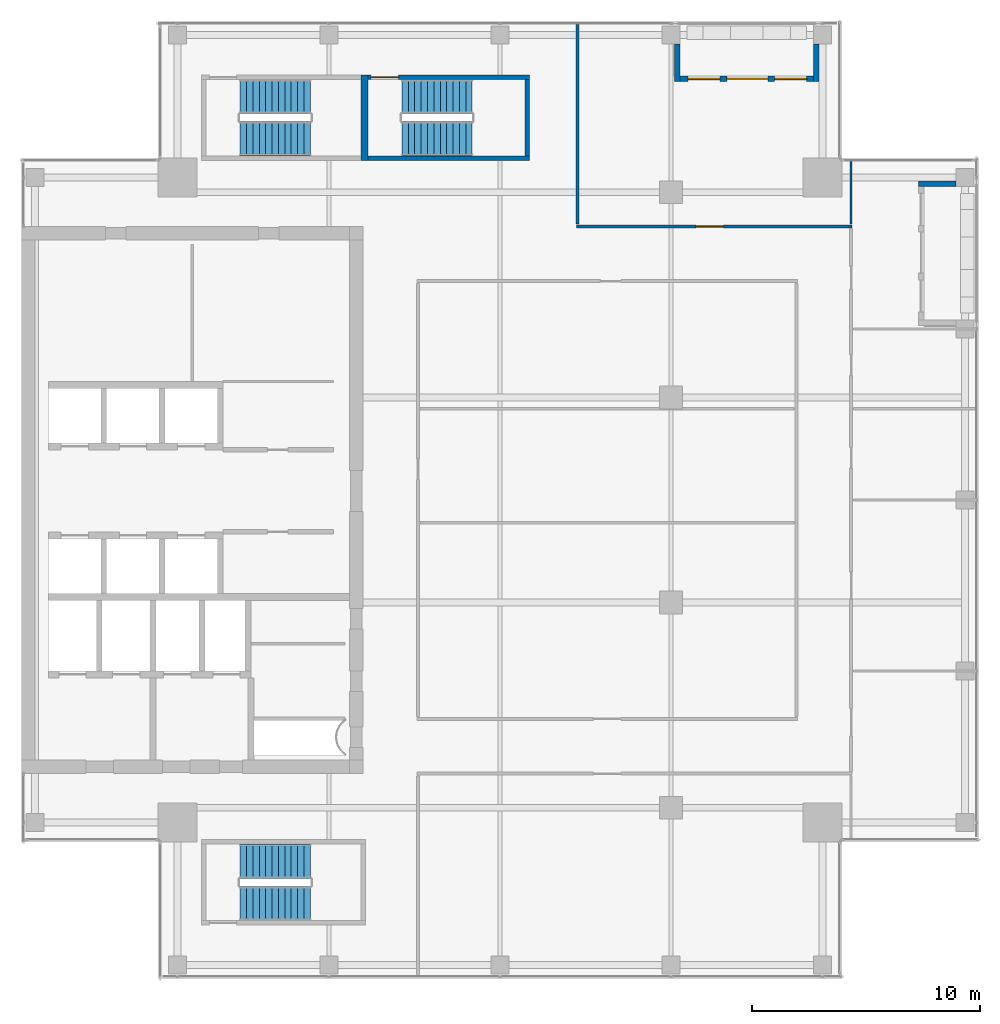
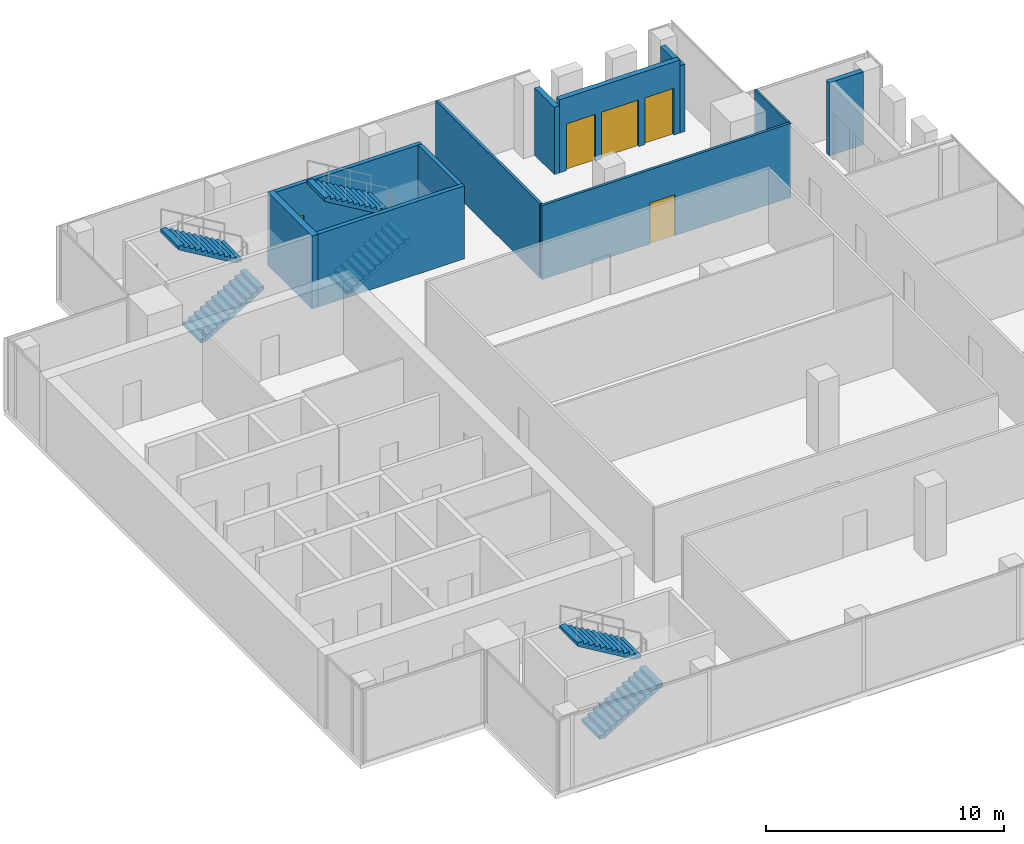
# One storey, part 27 of 29: 11 walls, 6 stair flights, 3 doors, 2 windows, 5 openings, 3 elements without a shape of their own.
"""IFC4 building model written with IfcOpenShell, lengths in metres."""

from ifc_helpers import new_model, si_unit, direction, frame, frame_2d, origin, place, context, subcontext, project, spatial, polyline, rectangle, outline, extrude, source, transform, mapped, material, layer, layer_set, type_object, element, fill, aggregate, save


model = new_model("IFC4")

# Units and contexts
model_context = context("Model", 3, precision=1e-05, world=origin(), true_north=direction((0.0, 1.0)))
body_context = subcontext(model_context, "Body", "Model", "MODEL_VIEW")
ifc_project = project(units=[si_unit("LENGTHUNIT", "METRE"), si_unit("AREAUNIT", "SQUARE_METRE"), si_unit("VOLUMEUNIT", "CUBIC_METRE"), si_unit("PLANEANGLEUNIT", "RADIAN"), si_unit("MASSUNIT", "GRAM", prefix="KILO")], contexts=[model_context])

# Site, building, storey
site_placement = place(None, origin())
site = spatial("IfcSite", under=ifc_project, at=site_placement, CompositionType="ELEMENT")
building_placement = place(site_placement, origin())
building = spatial("IfcBuilding", under=site, at=building_placement, Name="Khomas Fold Tower", CompositionType="ELEMENT")
storey_placement = place(building_placement, frame((0.0, 0.0, 314.199951171875)))
storey = spatial("IfcBuildingStorey", under=building, at=storey_placement, Name="L71", CompositionType="ELEMENT", Elevation=314.199951171875)

# Wall, opening, door
ifc_material_1 = material(Name="Concrete C50/60", Category="concrete")
ifc_layer_1 = layer(ifc_material_1, 0.199951171875)
ifc_layer_set_1 = layer_set([ifc_layer_1], Name="Concrete C50/60")
wall_type_1 = type_object("IfcWallType", Name="Stair wall 200", PredefinedType="SHEAR", material=ifc_layer_set_1)
shared_shape_1 = source(origin(), body_context, "Body", "SweptSolid", [
    extrude(rectangle(XDim=7.10009765625, YDim=0.199951171875, at=frame_2d((3.550048828125, 0.0))), origin(), (0.0, 0.0, 1.0), 3.75),
])
wall_1_placement = place(storey_placement, frame((21.199951171875, 45.550048828125, 0.0), z_axis=(0.0, 0.0, 1.0), x_axis=(1.0, 0.0, 0.0)))
wall_1 = element("IfcWall", 1, at=wall_1_placement, inside=storey, type_object=wall_type_1, Name="Stair wall SW-ST3-N", PredefinedType="SHEAR", context=body_context, shape_type="MappedRepresentation", body=[
    mapped(shared_shape_1, transform((0.0, 0.0, 0.0))),
])
shared_shape_2 = source(origin(), body_context, "Body", "SweptSolid", [
    extrude(rectangle(XDim=1.199951171875, YDim=2.10009765625, at=frame_2d((0.60009765625, 1.050048828125))), frame((0.0, 0.10986328125, 0.0), z_axis=(0.0, -1.0, 0.0), x_axis=(1.0, 0.0, 0.0)), (0.0, 0.0, 1.0), 0.219970703125),
])
opening_1_placement = place(wall_1_placement, frame((0.14990234375, 0.0, 0.0)))
opening_1 = element("IfcOpeningElement", 2, at=opening_1_placement, cuts=wall_1, Name="Opening SD-ST3", PredefinedType="OPENING", context=body_context, shape_type="MappedRepresentation", body=[
    mapped(shared_shape_2, transform((0.0, 0.0, 0.0))),
])
ifc_material_2 = material(Name="Steel door leaf", Category="steel")
door_type_1 = type_object("IfcDoorType", Name="Stair door 1200x2100 left-hand", OperationType="SINGLE_SWING_LEFT", PredefinedType="DOOR", material=ifc_material_2)
shared_shape_3 = source(origin(), body_context, "Body", "SweptSolid", [
    extrude(rectangle(XDim=1.199951171875, YDim=2.10009765625, at=frame_2d((0.60009765625, 1.050048828125))), frame((0.0, 0.02490234375, 0.0), z_axis=(0.0, -1.0, 0.0), x_axis=(1.0, 0.0, 0.0)), (0.0, 0.0, 1.0), 0.050048828125),
])
door_1_placement = place(opening_1_placement, origin())
door_1 = element("IfcDoor", 3, at=door_1_placement, inside=storey, type_object=door_type_1, Name="Stair door", OperationType="SINGLE_SWING_LEFT", OverallHeight=2.10009765625, OverallWidth=1.199951171875, PredefinedType="DOOR", context=body_context, shape_type="MappedRepresentation", body=[
    mapped(shared_shape_3, transform((0.0, 0.0, 0.0))),
])
fill(opening_1, door_1)

# Walls
wall_2_placement = place(storey_placement, frame((21.199951171875, 42.0, 0.0), z_axis=(0.0, 0.0, 1.0), x_axis=(1.0, 0.0, 0.0)))
element("IfcWall", 4, at=wall_2_placement, inside=storey, type_object=wall_type_1, Name="Stair wall SW-ST3-S", PredefinedType="SHEAR", context=body_context, shape_type="MappedRepresentation", body=[
    mapped(shared_shape_1, transform((0.0, 0.0, 0.0))),
])
ifc_material_3 = material(Name="Concrete C50/60", Category="concrete")
ifc_layer_2 = layer(ifc_material_3, 0.300048828125)
ifc_layer_set_2 = layer_set([ifc_layer_2], Name="Concrete C50/60")
wall_type_2 = type_object("IfcWallType", Name="Stair wall 300", PredefinedType="SHEAR", material=ifc_layer_set_2)
shared_shape_4 = source(origin(), body_context, "Body", "SweptSolid", [
    extrude(rectangle(XDim=3.75, YDim=0.300048828125, at=frame_2d((1.875, 0.0))), origin(), (0.0, 0.0, 1.0), 3.75),
])
wall_3_placement = place(storey_placement, frame((21.050048828125, 41.89990234375, 0.0), z_axis=(0.0, 0.0, 1.0), x_axis=(0.0, 1.0, 0.0)))
element("IfcWall", 5, at=wall_3_placement, inside=storey, type_object=wall_type_2, Name="Stair wall SW-ST1-E", PredefinedType="SHEAR", context=body_context, shape_type="MappedRepresentation", body=[
    mapped(shared_shape_4, transform((0.0, 0.0, 0.0))),
])
shared_shape_5 = source(origin(), body_context, "Body", "SweptSolid", [
    extrude(rectangle(XDim=3.349853515625, YDim=0.199951171875, at=frame_2d((1.6748046875, 0.0))), origin(), (0.0, 0.0, 1.0), 3.75),
])
wall_4_placement = place(storey_placement, frame((28.199951171875, 42.10009765625, 0.0), z_axis=(0.0, 0.0, 1.0), x_axis=(0.0, 1.0, 0.0)))
element("IfcWall", 6, at=wall_4_placement, inside=storey, type_object=wall_type_1, Name="Stair wall SW-ST3-E", PredefinedType="SHEAR", context=body_context, shape_type="MappedRepresentation", body=[
    mapped(shared_shape_5, transform((0.0, 0.0, 0.0))),
])

# Wall, openings, door, windows
ifc_material_4 = material(Name="Natural stone", Category="masonry")
ifc_layer_3 = layer(ifc_material_4, 0.0400390625)
ifc_material_5 = material(Name="Mineral wool insulation", Category="insulation")
ifc_layer_4 = layer(ifc_material_5, 0.10009765625)
ifc_material_6 = material(Name="Masonry", Category="masonry")
ifc_layer_5 = layer(ifc_material_6, 0.110107421875)
ifc_layer_set_3 = layer_set([ifc_layer_3, ifc_layer_4, ifc_layer_5], Name="Stone-faced insulated masonry")
wall_type_3 = type_object("IfcWallType", Name="BL-Balcony wall", PredefinedType="SOLIDWALL", material=ifc_layer_set_3)
shared_shape_6 = source(origin(), body_context, "Body", "SweptSolid", [
    extrude(rectangle(XDim=5.85009765625, YDim=0.25, at=frame_2d((2.925048828125, 0.0))), origin(), (0.0, 0.0, 1.0), 3.75),
])
wall_5_placement = place(storey_placement, frame((34.89990234375, 45.47509765625, 0.0), z_axis=(0.0, 0.0, 1.0), x_axis=(1.0, 0.0, 0.0)))
wall_5 = element("IfcWall", 7, at=wall_5_placement, inside=storey, type_object=wall_type_3, Name="Balcony wall BAL-L71-N4", PredefinedType="SOLIDWALL", context=body_context, shape_type="MappedRepresentation", body=[
    mapped(shared_shape_6, transform((0.0, 0.0, 0.0))),
])
shared_shape_7 = source(origin(), body_context, "Body", "SweptSolid", [
    extrude(rectangle(XDim=1.39990234375, YDim=2.39990234375, at=frame_2d((0.699951171875, 1.199951171875))), frame((0.0, 0.135009765625, 0.0), z_axis=(0.0, -1.0, 0.0), x_axis=(1.0, 0.0, 0.0)), (0.0, 0.0, 1.0), 0.27001953125),
])
opening_2_placement = place(wall_5_placement, frame((0.35009765625, 0.0, 0.0)))
opening_2 = element("IfcOpeningElement", 8, at=opening_2_placement, cuts=wall_5, Name="Opening BL-W6", PredefinedType="OPENING", context=body_context, shape_type="MappedRepresentation", body=[
    mapped(shared_shape_7, transform((0.0, 0.0, 0.0))),
])
opening_3_placement = place(wall_5_placement, frame((4.14990234375, 0.0, 0.0)))
opening_3 = element("IfcOpeningElement", 9, at=opening_3_placement, cuts=wall_5, Name="Opening BL-W6", PredefinedType="OPENING", context=body_context, shape_type="MappedRepresentation", body=[
    mapped(shared_shape_7, transform((0.0, 0.0, 0.0))),
])
shared_shape_8 = source(origin(), body_context, "Body", "SweptSolid", [
    extrude(rectangle(XDim=1.800048828125, YDim=2.39990234375, at=frame_2d((0.89990234375, 1.199951171875))), frame((0.0, 0.135009765625, 0.0), z_axis=(0.0, -1.0, 0.0), x_axis=(1.0, 0.0, 0.0)), (0.0, 0.0, 1.0), 0.27001953125),
])
opening_4_placement = place(wall_5_placement, frame((2.050048828125, 0.0, 0.0)))
opening_4 = element("IfcOpeningElement", 10, at=opening_4_placement, cuts=wall_5, Name="Opening BD712", PredefinedType="OPENING", context=body_context, shape_type="MappedRepresentation", body=[
    mapped(shared_shape_8, transform((0.0, 0.0, 0.0))),
])
ifc_material_7 = material(Name="Aluminium framed double glazing", Category="aluminium")
door_type_2 = type_object("IfcDoorType", Name="BL-Glazed balcony door 1800 x 2400", OperationType="DOUBLE_DOOR_DOUBLE_SWING", PredefinedType="DOOR", material=ifc_material_7)
shared_shape_9 = source(origin(), body_context, "Body", "SweptSolid", [
    extrude(rectangle(XDim=1.800048828125, YDim=2.39990234375, at=frame_2d((0.89990234375, 1.199951171875))), frame((0.0, 0.02490234375, 0.0), z_axis=(0.0, -1.0, 0.0), x_axis=(1.0, 0.0, 0.0)), (0.0, 0.0, 1.0), 0.050048828125),
])
door_2_placement = place(opening_4_placement, origin())
door_2 = element("IfcDoor", 11, at=door_2_placement, inside=storey, type_object=door_type_2, Name="Balcony door BD712", OperationType="DOUBLE_DOOR_DOUBLE_SWING", OverallHeight=2.39990234375, OverallWidth=1.800048828125, PredefinedType="DOOR", context=body_context, shape_type="MappedRepresentation", body=[
    mapped(shared_shape_9, transform((0.0, 0.0, 0.0))),
])
fill(opening_4, door_2)
ifc_material_8 = material(Name="Aluminium framed double glazing", Category="aluminium")
window_type = type_object("IfcWindowType", Name="BL-Fixed glazing 1400 x 2400", PartitioningType="SINGLE_PANEL", PredefinedType="WINDOW", material=ifc_material_8)
shared_shape_10 = source(origin(), body_context, "Body", "SweptSolid", [
    extrude(rectangle(XDim=1.39990234375, YDim=2.39990234375, at=frame_2d((0.699951171875, 1.199951171875))), frame((0.0, 0.030029296875, 0.0), z_axis=(0.0, -1.0, 0.0), x_axis=(1.0, 0.0, 0.0)), (0.0, 0.0, 1.0), 0.06005859375),
])
window_1_placement = place(opening_2_placement, origin())
window_1 = element("IfcWindow", 12, at=window_1_placement, inside=storey, type_object=window_type, Name="Balcony glazing BAL-L71-N4-1", OverallHeight=2.39990234375, OverallWidth=1.39990234375, PartitioningType="SINGLE_PANEL", PredefinedType="WINDOW", context=body_context, shape_type="MappedRepresentation", body=[
    mapped(shared_shape_10, transform((0.0, 0.0, 0.0))),
])
fill(opening_2, window_1)
window_2_placement = place(opening_3_placement, origin())
window_2 = element("IfcWindow", 13, at=window_2_placement, inside=storey, type_object=window_type, Name="Balcony glazing BAL-L71-N4-2", OverallHeight=2.39990234375, OverallWidth=1.39990234375, PartitioningType="SINGLE_PANEL", PredefinedType="WINDOW", context=body_context, shape_type="MappedRepresentation", body=[
    mapped(shared_shape_10, transform((0.0, 0.0, 0.0))),
])
fill(opening_3, window_2)

# Walls
shared_shape_11 = source(origin(), body_context, "Body", "SweptSolid", [
    extrude(rectangle(XDim=1.64990234375, YDim=0.25, at=frame_2d((0.824951171875, 0.0))), origin(), (0.0, 0.0, 1.0), 3.449951171875),
])
for number, where, z_axis, x_axis, name in (
    (14, (34.77490234375, 47.0, 0.0), (0.0, 0.0, 1.0), (0.0, -1.0, 0.0), "Balcony return wall BAL-L71-N4-lo"),
    (15, (40.875, 47.0, 0.0), (0.0, 0.0, 1.0), (0.0, -1.0, 0.0), "Balcony return wall BAL-L71-N4-hi"),
):
    element("IfcWall", number, at=place(storey_placement, frame(where, z_axis=z_axis, x_axis=x_axis)), inside=storey, type_object=wall_type_3, Name=name, PredefinedType="SOLIDWALL", context=body_context, shape_type="MappedRepresentation", body=[
        mapped(shared_shape_11, transform((0.0, 0.0, 0.0))),
    ])
shared_shape_12 = source(origin(), body_context, "Body", "SweptSolid", [
    extrude(rectangle(XDim=1.64990234375, YDim=0.25, at=frame_2d((0.824951171875, 0.0))), origin(), (0.0, 0.0, 1.0), 3.75),
])
wall_6_placement = place(storey_placement, frame((47.0, 40.875, 0.0), z_axis=(0.0, 0.0, 1.0), x_axis=(-1.0, 0.0, 0.0)))
element("IfcWall", 16, at=wall_6_placement, inside=storey, type_object=wall_type_3, Name="Balcony return wall BAL-L71-E4-hi", PredefinedType="SOLIDWALL", context=body_context, shape_type="MappedRepresentation", body=[
    mapped(shared_shape_12, transform((0.0, 0.0, 0.0))),
])
ifc_material_9 = material(Name="Plasterboard partition")
ifc_layer_6 = layer(ifc_material_9, 0.125)
ifc_layer_set_4 = layer_set([ifc_layer_6], Name="Plasterboard partition")
wall_type_4 = type_object("IfcWallType", Name="Partition PW2 125", PredefinedType="PARTITIONING", material=ifc_layer_set_4)
shared_shape_13 = source(origin(), body_context, "Body", "SweptSolid", [
    extrude(rectangle(XDim=8.75, YDim=0.125, at=frame_2d((4.375, 0.0))), origin(), (0.0, 0.0, 1.0), 3.800048828125),
])
wall_7_placement = place(storey_placement, frame((30.39990234375, 39.10009765625, 0.0), z_axis=(0.0, 0.0, 1.0), x_axis=(0.0, 1.0, 0.0)))
element("IfcWall", 17, at=wall_7_placement, inside=storey, type_object=wall_type_4, Name="Partition", PredefinedType="PARTITIONING", context=body_context, shape_type="MappedRepresentation", body=[
    mapped(shared_shape_13, transform((0.0, 0.0, 0.0))),
])
ifc_material_10 = material(Name="Plasterboard partition")
ifc_layer_7 = layer(ifc_material_10, 0.10009765625)
ifc_layer_set_5 = layer_set([ifc_layer_7], Name="Plasterboard partition")
wall_type_5 = type_object("IfcWallType", Name="Partition PW1 100", PredefinedType="PARTITIONING", material=ifc_layer_set_5)
shared_shape_14 = source(origin(), body_context, "Body", "SweptSolid", [
    extrude(rectangle(XDim=2.75, YDim=0.10009765625, at=frame_2d((1.375, 0.0))), origin(), (0.0, 0.0, 1.0), 3.800048828125),
])
wall_8_placement = place(storey_placement, frame((42.39990234375, 39.10009765625, 0.0), z_axis=(0.0, 0.0, 1.0), x_axis=(0.0, 1.0, 0.0)))
element("IfcWall", 18, at=wall_8_placement, inside=storey, type_object=wall_type_5, Name="Partition", PredefinedType="PARTITIONING", context=body_context, shape_type="MappedRepresentation", body=[
    mapped(shared_shape_14, transform((0.0, 0.0, 0.0))),
])

# Wall, opening, door
shared_shape_15 = source(origin(), body_context, "Body", "SweptSolid", [
    extrude(rectangle(XDim=12.099853515625, YDim=0.125, at=frame_2d((6.0498046875, 0.0))), origin(), (0.0, 0.0, 1.0), 3.800048828125),
])
wall_9_placement = place(storey_placement, frame((30.35009765625, 39.0, 0.0), z_axis=(0.0, 0.0, 1.0), x_axis=(1.0, 0.0, 0.0)))
wall_9 = element("IfcWall", 19, at=wall_9_placement, inside=storey, type_object=wall_type_4, Name="Partition", PredefinedType="PARTITIONING", context=body_context, shape_type="MappedRepresentation", body=[
    mapped(shared_shape_15, transform((0.0, 0.0, 0.0))),
])
shared_shape_16 = source(origin(), body_context, "Body", "SweptSolid", [
    extrude(rectangle(XDim=1.199951171875, YDim=2.10009765625, at=frame_2d((0.60009765625, 1.050048828125))), frame((0.0, 0.072509765625, 0.0), z_axis=(0.0, -1.0, 0.0), x_axis=(1.0, 0.0, 0.0)), (0.0, 0.0, 1.0), 0.14501953125),
])
opening_5_placement = place(wall_9_placement, frame((5.25, 0.0, 0.0)))
opening_5 = element("IfcOpeningElement", 20, at=opening_5_placement, cuts=wall_9, Name="Opening 0013", PredefinedType="OPENING", context=body_context, shape_type="MappedRepresentation", body=[
    mapped(shared_shape_16, transform((0.0, 0.0, 0.0))),
])
ifc_material_11 = material(Name="Timber door leaf", Category="wood")
door_type_3 = type_object("IfcDoorType", Name="Door 1200x2100 left-hand", OperationType="SINGLE_SWING_LEFT", PredefinedType="DOOR", material=ifc_material_11)
door_3_placement = place(opening_5_placement, origin())
door_3 = element("IfcDoor", 21, at=door_3_placement, inside=storey, type_object=door_type_3, Name="Door", OperationType="SINGLE_SWING_LEFT", OverallHeight=2.10009765625, OverallWidth=1.199951171875, PredefinedType="DOOR", context=body_context, shape_type="MappedRepresentation", body=[
    mapped(shared_shape_3, transform((0.0, 0.0, 0.0))),
])
fill(opening_5, door_3)

# Stair, stair flights
ifc_material_12 = material(Name="Concrete C40/50", Category="concrete")
stair_type_1 = type_object("IfcStairType", Name="Stair ST1", PredefinedType="HALF_TURN_STAIR", material=ifc_material_12)
stair_1_placement = place(storey_placement, origin())
stair_1 = element("IfcStair", 22, at=stair_1_placement, inside=storey, type_object=stair_type_1, Name="L71 ST1", PredefinedType="HALF_TURN_STAIR")
ifc_material_13 = material(Name="Concrete C40/50", Category="concrete")
stair_flight_type_1 = type_object("IfcStairFlightType", Name="Stair flight 1500 ST1", PredefinedType="STRAIGHT", material=ifc_material_13)
shared_shape_17 = source(origin(), body_context, "Body", "SweptSolid", [
    extrude(outline(polyline([(0.0, 0.0), (0.0, 0.012939453125), (0.0, 0.025634765625), (0.0, 0.03857421875), (0.0, 0.05126953125), (0.0, 0.064208984375), (0.0, 0.076904296875), (0.0, 0.08984375), (0.0, 0.1025390625), (0.0, 0.115478515625), (0.0, 0.128173828125), (0.0, 0.14111328125), (0.0, 0.15380859375), (0.0, 0.166748046875), (0.280029296875, 0.166748046875), (0.280029296875, 0.333251953125), (0.56005859375, 0.333251953125), (0.56005859375, 0.5), (0.840087890625, 0.5), (0.840087890625, 0.666748046875), (1.1201171875, 0.666748046875), (1.1201171875, 0.833251953125), (1.39990234375, 0.833251953125), (1.39990234375, 1.0), (1.679931640625, 1.0), (1.679931640625, 1.166748046875), (1.9599609375, 1.166748046875), (1.9599609375, 1.333251953125), (2.239990234375, 1.333251953125), (2.239990234375, 1.5), (2.52001953125, 1.5), (2.52001953125, 1.666748046875), (2.800048828125, 1.666748046875), (2.800048828125, 1.833251953125), (3.080078125, 1.833251953125), (3.080078125, 2.0), (3.080078125, 1.973876953125), (3.080078125, 1.947509765625), (3.080078125, 1.92138671875), (3.080078125, 1.89501953125), (3.080078125, 1.868896484375), (3.080078125, 1.842529296875), (3.080078125, 1.81640625), (3.080078125, 1.7900390625), (3.080078125, 1.763916015625), (3.080078125, 1.737548828125), (3.080078125, 1.71142578125), (3.080078125, 1.68505859375), (3.080078125, 1.658935546875), (0.29296875, 0.0), (0.0, 0.0)])), frame((0.0, 0.75, 0.0), z_axis=(0.0, -1.0, 0.0), x_axis=(1.0, 0.0, 0.0)), (0.0, 0.0, 1.0), 1.5),
])
stair_flight_1_placement = place(storey_placement, frame((15.60009765625, 42.85009765625, 0.0), z_axis=(0.0, 0.0, 1.0), x_axis=(1.0, 0.0, 0.0)))
stair_flight_1 = element("IfcStairFlight", 23, at=stair_flight_1_placement, type_object=stair_flight_type_1, Name="ST1 flight 1", NumberOfRisers=12, NumberOfTreads=11, PredefinedType="STRAIGHT", RiserHeight=0.166666667, TreadLength=0.28, context=body_context, shape_type="MappedRepresentation", body=[
    mapped(shared_shape_17, transform((0.0, 0.0, 0.0))),
])
stair_flight_2_placement = place(storey_placement, frame((18.679931640625, 44.699951171875, 2.0), z_axis=(0.0, 0.0, 1.0), x_axis=(-1.0, 0.0, 0.0)))
stair_flight_2 = element("IfcStairFlight", 24, at=stair_flight_2_placement, type_object=stair_flight_type_1, Name="ST1 flight 2", NumberOfRisers=12, NumberOfTreads=11, PredefinedType="STRAIGHT", RiserHeight=0.166666667, TreadLength=0.28, context=body_context, shape_type="MappedRepresentation", body=[
    mapped(shared_shape_17, transform((0.0, 0.0, 0.0))),
])
aggregate(stair_1, [stair_flight_1, stair_flight_2])

ifc_material_14 = material(Name="Concrete C40/50", Category="concrete")
stair_type_2 = type_object("IfcStairType", Name="Stair ST2", PredefinedType="HALF_TURN_STAIR", material=ifc_material_14)
stair_2_placement = place(storey_placement, origin())
stair_2 = element("IfcStair", 25, at=stair_2_placement, inside=storey, type_object=stair_type_2, Name="L71 ST2", PredefinedType="HALF_TURN_STAIR")
ifc_material_15 = material(Name="Concrete C40/50", Category="concrete")
stair_flight_type_2 = type_object("IfcStairFlightType", Name="Stair flight 1500 ST2", PredefinedType="STRAIGHT", material=ifc_material_15)
stair_flight_3_placement = place(storey_placement, frame((15.60009765625, 9.300048828125, 0.0), z_axis=(0.0, 0.0, 1.0), x_axis=(1.0, 0.0, 0.0)))
stair_flight_3 = element("IfcStairFlight", 26, at=stair_flight_3_placement, type_object=stair_flight_type_2, Name="ST2 flight 1", NumberOfRisers=12, NumberOfTreads=11, PredefinedType="STRAIGHT", RiserHeight=0.166666667, TreadLength=0.28, context=body_context, shape_type="MappedRepresentation", body=[
    mapped(shared_shape_17, transform((0.0, 0.0, 0.0))),
])
stair_flight_4_placement = place(storey_placement, frame((18.679931640625, 11.14990234375, 2.0), z_axis=(0.0, 0.0, 1.0), x_axis=(-1.0, 0.0, 0.0)))
stair_flight_4 = element("IfcStairFlight", 27, at=stair_flight_4_placement, type_object=stair_flight_type_2, Name="ST2 flight 2", NumberOfRisers=12, NumberOfTreads=11, PredefinedType="STRAIGHT", RiserHeight=0.166666667, TreadLength=0.28, context=body_context, shape_type="MappedRepresentation", body=[
    mapped(shared_shape_17, transform((0.0, 0.0, 0.0))),
])
aggregate(stair_2, [stair_flight_3, stair_flight_4])

ifc_material_16 = material(Name="Concrete C40/50", Category="concrete")
stair_type_3 = type_object("IfcStairType", Name="Stair ST3", PredefinedType="HALF_TURN_STAIR", material=ifc_material_16)
stair_3_placement = place(storey_placement, origin())
stair_3 = element("IfcStair", 28, at=stair_3_placement, inside=storey, type_object=stair_type_3, Name="L71 ST3", PredefinedType="HALF_TURN_STAIR")
ifc_material_17 = material(Name="Concrete C40/50", Category="concrete")
stair_flight_type_3 = type_object("IfcStairFlightType", Name="Stair flight 1500 ST3", PredefinedType="STRAIGHT", material=ifc_material_17)
stair_flight_5_placement = place(storey_placement, frame((22.699951171875, 42.85009765625, 0.0), z_axis=(0.0, 0.0, 1.0), x_axis=(1.0, 0.0, 0.0)))
stair_flight_5 = element("IfcStairFlight", 29, at=stair_flight_5_placement, type_object=stair_flight_type_3, Name="ST3 flight 1", NumberOfRisers=12, NumberOfTreads=11, PredefinedType="STRAIGHT", RiserHeight=0.166666667, TreadLength=0.28, context=body_context, shape_type="MappedRepresentation", body=[
    mapped(shared_shape_17, transform((0.0, 0.0, 0.0))),
])
stair_flight_6_placement = place(storey_placement, frame((25.780029296875, 44.699951171875, 2.0), z_axis=(0.0, 0.0, 1.0), x_axis=(-1.0, 0.0, 0.0)))
stair_flight_6 = element("IfcStairFlight", 30, at=stair_flight_6_placement, type_object=stair_flight_type_3, Name="ST3 flight 2", NumberOfRisers=12, NumberOfTreads=11, PredefinedType="STRAIGHT", RiserHeight=0.166666667, TreadLength=0.28, context=body_context, shape_type="MappedRepresentation", body=[
    mapped(shared_shape_17, transform((0.0, 0.0, 0.0))),
])
aggregate(stair_3, [stair_flight_5, stair_flight_6])

save(model, "model.ifc")
